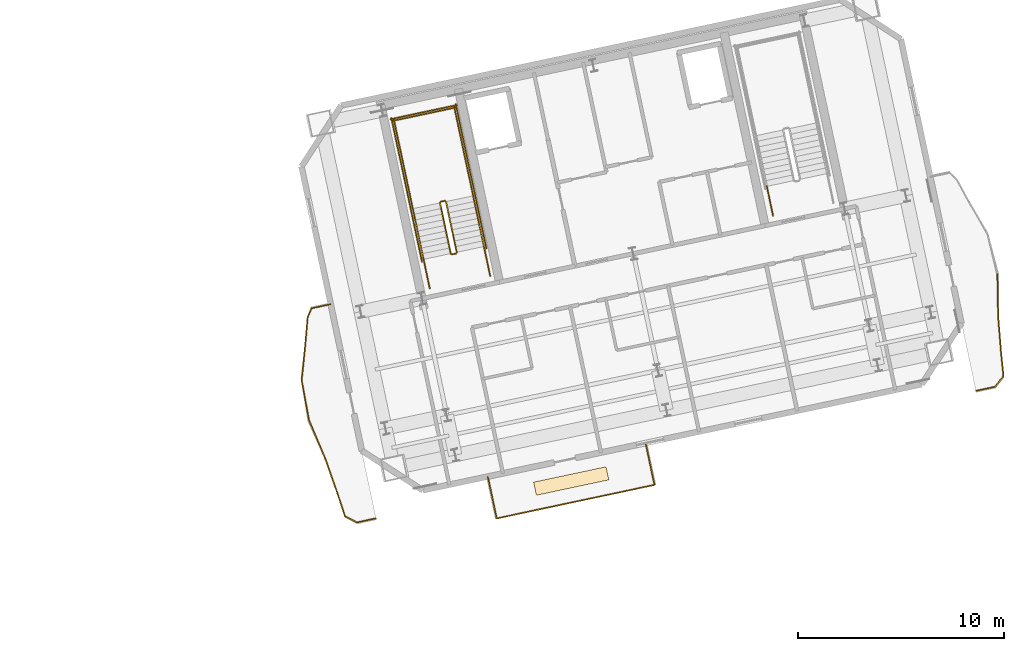
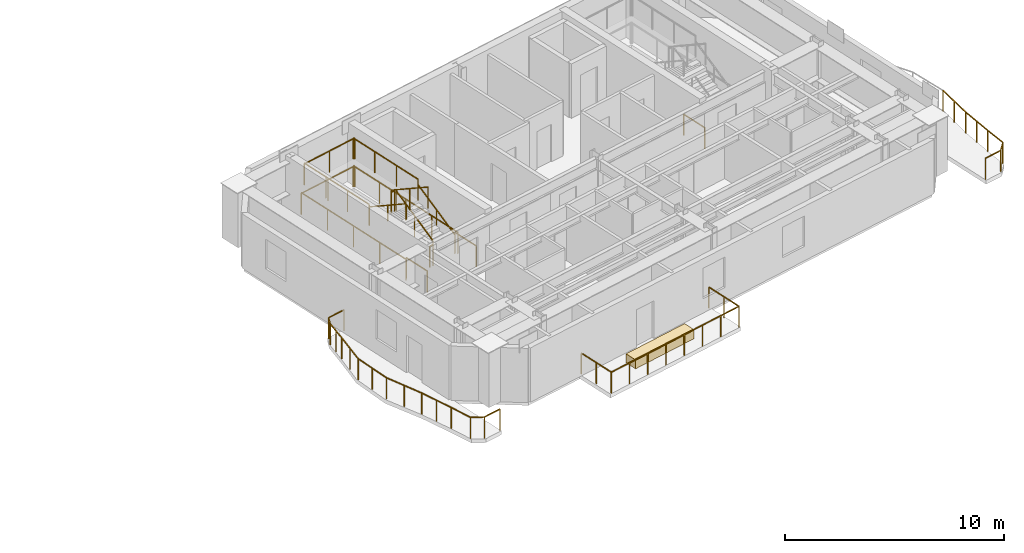
# One storey, part 15 of 16: 33 railings, 1 covering.
"""IFC4 building model written with IfcOpenShell, lengths in metres."""

from ifc_helpers import new_model, si_unit, direction, frame, origin, origin_2d, place, context, subcontext, project, spatial, rectangle, extrude, material, layer, layer_set, type_object, element, save


model = new_model("IFC4")

# Units and contexts
model_context = context("Model", 3, precision=1e-05, world=origin(), true_north=direction((0.0, 1.0)))
body_context = subcontext(model_context, "Body", "Model", "MODEL_VIEW")
ifc_project = project(units=[si_unit("LENGTHUNIT", "METRE"), si_unit("AREAUNIT", "SQUARE_METRE"), si_unit("VOLUMEUNIT", "CUBIC_METRE"), si_unit("PLANEANGLEUNIT", "RADIAN"), si_unit("MASSUNIT", "GRAM", prefix="KILO")], contexts=[model_context])

# Site, building, storey
site_placement = place(None, origin())
site = spatial("IfcSite", under=ifc_project, at=site_placement, CompositionType="ELEMENT")
building_placement = place(site_placement, origin())
building = spatial("IfcBuilding", under=site, at=building_placement, Name="Haevon Station Towers", CompositionType="ELEMENT")
storey_placement = place(building_placement, frame((0.0, 0.0, 215.39990234375)))
storey = spatial("IfcBuildingStorey", under=building, at=storey_placement, Name="L59", CompositionType="ELEMENT", Elevation=215.39990234375)

# Railings
ifc_material_1 = material(Name="Steel S355", Category="steel")
railing_type_1 = type_object("IfcRailingType", Name="GRD-EXT1200", PredefinedType="GUARDRAIL", material=ifc_material_1)
railing_1_placement = place(storey_placement, frame((94.288818359375, 37.16552734375, 0.0)))
element("IfcRailing", 1, at=railing_1_placement, inside=storey, type_object=railing_type_1, Name="L59 Perimeter Guardrail 1", PredefinedType="GUARDRAIL", context=body_context, shape_type="SweptSolid", body=[
    extrude(rectangle(XDim=0.048095703125, YDim=0.048095703125, at=origin_2d()), frame((0.0, 0.0, 1.17578125), z_axis=(-0.977684892297, -0.210076774952, 0.0), x_axis=(0.210076774952, -0.977684892297, 0.0)), (0.0, 0.0, 1.0), 0.943603515625),
    extrude(rectangle(XDim=0.0419921875, YDim=0.0419921875, at=origin_2d()), origin(), (0.0, 0.0, 1.0), 1.15185546875),
    extrude(rectangle(XDim=0.0419921875, YDim=0.0419921875, at=origin_2d()), frame((-0.922607421875, -0.1982421875, 0.0)), (0.0, 0.0, 1.0), 1.15185546875),
])
railing_2_placement = place(storey_placement, frame((93.3662109375, 36.96728515625, 0.0)))
element("IfcRailing", 2, at=railing_2_placement, inside=storey, type_object=railing_type_1, Name="L59 Perimeter Guardrail 2", PredefinedType="GUARDRAIL", context=body_context, shape_type="SweptSolid", body=[
    extrude(rectangle(XDim=0.048095703125, YDim=0.048095703125, at=origin_2d()), frame((0.0, 0.0, 1.17578125), z_axis=(-0.3657443694, -0.930715346522, 0.0), x_axis=(0.930715346522, -0.3657443694, 0.0)), (0.0, 0.0, 1.0), 0.49267578125),
    extrude(rectangle(XDim=0.0419921875, YDim=0.0419921875, at=origin_2d()), origin(), (0.0, 0.0, 1.0), 1.15185546875),
    extrude(rectangle(XDim=0.0419921875, YDim=0.0419921875, at=origin_2d()), frame((-0.18017578125, -0.45849609375, 0.0)), (0.0, 0.0, 1.0), 1.15185546875),
])
railing_3_placement = place(storey_placement, frame((93.18603515625, 36.5087890625, 0.0)))
element("IfcRailing", 3, at=railing_3_placement, inside=storey, type_object=railing_type_1, Name="L59 Perimeter Guardrail 3", PredefinedType="GUARDRAIL", context=body_context, shape_type="SweptSolid", body=[
    extrude(rectangle(XDim=0.048095703125, YDim=0.048095703125, at=origin_2d()), frame((0.0, 0.0, 1.17578125), z_axis=(-0.084053333856, -0.996461257184, 0.0), x_axis=(0.996461257184, -0.084053333856, 0.0)), (0.0, 0.0, 1.0), 1.222900390625),
    extrude(rectangle(XDim=0.0419921875, YDim=0.0419921875, at=origin_2d()), origin(), (0.0, 0.0, 1.0), 1.15185546875),
    extrude(rectangle(XDim=0.0419921875, YDim=0.0419921875, at=origin_2d()), frame((-0.05126953125, -0.609375, 0.0)), (0.0, 0.0, 1.0), 1.15185546875),
    extrude(rectangle(XDim=0.0419921875, YDim=0.0419921875, at=origin_2d()), frame((-0.102783203125, -1.218505859375, 0.0)), (0.0, 0.0, 1.0), 1.15185546875),
])
railing_4_placement = place(storey_placement, frame((93.083251953125, 35.290283203125, 0.0)))
element("IfcRailing", 4, at=railing_4_placement, inside=storey, type_object=railing_type_1, Name="L59 Perimeter Guardrail 4", PredefinedType="GUARDRAIL", context=body_context, shape_type="SweptSolid", body=[
    extrude(rectangle(XDim=0.048095703125, YDim=0.048095703125, at=origin_2d()), frame((0.0, 0.0, 1.17578125), z_axis=(-0.100440099448, -0.994943107129, 0.0), x_axis=(0.994943107129, -0.100440099448, 0.0)), (0.0, 0.0, 1.0), 1.832763671875),
    extrude(rectangle(XDim=0.0419921875, YDim=0.0419921875, at=origin_2d()), origin(), (0.0, 0.0, 1.0), 1.15185546875),
    extrude(rectangle(XDim=0.0419921875, YDim=0.0419921875, at=origin_2d()), frame((-0.092041015625, -0.91162109375, 0.0)), (0.0, 0.0, 1.0), 1.15185546875),
    extrude(rectangle(XDim=0.0419921875, YDim=0.0419921875, at=origin_2d()), frame((-0.18408203125, -1.823486328125, 0.0)), (0.0, 0.0, 1.0), 1.15185546875),
])
railing_5_placement = place(storey_placement, frame((92.899169921875, 33.466796875, 0.0)))
element("IfcRailing", 5, at=railing_5_placement, inside=storey, type_object=railing_type_1, Name="L59 Perimeter Guardrail 5", PredefinedType="GUARDRAIL", context=body_context, shape_type="SweptSolid", body=[
    extrude(rectangle(XDim=0.048095703125, YDim=0.048095703125, at=origin_2d()), frame((0.0, 0.0, 1.17578125), z_axis=(0.182062954149, -0.983286876108, 0.0), x_axis=(0.983286876108, 0.182062954149, 0.0)), (0.0, 0.0, 1.0), 1.994140625),
    extrude(rectangle(XDim=0.0419921875, YDim=0.0419921875, at=origin_2d()), origin(), (0.0, 0.0, 1.0), 1.15185546875),
    extrude(rectangle(XDim=0.0419921875, YDim=0.0419921875, at=origin_2d()), frame((0.181640625, -0.98046875, 0.0)), (0.0, 0.0, 1.0), 1.15185546875),
    extrude(rectangle(XDim=0.0419921875, YDim=0.0419921875, at=origin_2d()), frame((0.363037109375, -1.960693359375, 0.0)), (0.0, 0.0, 1.0), 1.15185546875),
])
railing_6_placement = place(storey_placement, frame((93.26220703125, 31.506103515625, 0.0)))
element("IfcRailing", 6, at=railing_6_placement, inside=storey, type_object=railing_type_1, Name="L59 Perimeter Guardrail 6", PredefinedType="GUARDRAIL", context=body_context, shape_type="SweptSolid", body=[
    extrude(rectangle(XDim=0.048095703125, YDim=0.048095703125, at=origin_2d()), frame((0.0, 0.0, 1.17578125), z_axis=(0.389726477467, -0.920930655783, 0.0), x_axis=(0.920930655783, 0.389726477467, 0.0)), (0.0, 0.0, 1.0), 2.02587890625),
    extrude(rectangle(XDim=0.0419921875, YDim=0.0419921875, at=origin_2d()), origin(), (0.0, 0.0, 1.0), 1.15185546875),
    extrude(rectangle(XDim=0.0419921875, YDim=0.0419921875, at=origin_2d()), frame((0.394775390625, -0.932861328125, 0.0)), (0.0, 0.0, 1.0), 1.15185546875),
    extrude(rectangle(XDim=0.0419921875, YDim=0.0419921875, at=origin_2d()), frame((0.78955078125, -1.86572265625, 0.0)), (0.0, 0.0, 1.0), 1.15185546875),
])
railing_7_placement = place(storey_placement, frame((94.0517578125, 29.640380859375, 0.0)))
element("IfcRailing", 7, at=railing_7_placement, inside=storey, type_object=railing_type_1, Name="L59 Perimeter Guardrail 7", PredefinedType="GUARDRAIL", context=body_context, shape_type="SweptSolid", body=[
    extrude(rectangle(XDim=0.048095703125, YDim=0.048095703125, at=origin_2d()), frame((0.0, 0.0, 1.17578125), z_axis=(0.332125119424, -0.943235339164, 0.0), x_axis=(0.943235339164, 0.332125119424, 0.0)), (0.0, 0.0, 1.0), 1.76416015625),
    extrude(rectangle(XDim=0.0419921875, YDim=0.0419921875, at=origin_2d()), origin(), (0.0, 0.0, 1.0), 1.15185546875),
    extrude(rectangle(XDim=0.0419921875, YDim=0.0419921875, at=origin_2d()), frame((0.29296875, -0.83203125, 0.0)), (0.0, 0.0, 1.0), 1.15185546875),
    extrude(rectangle(XDim=0.0419921875, YDim=0.0419921875, at=origin_2d()), frame((0.5859375, -1.6640625, 0.0)), (0.0, 0.0, 1.0), 1.15185546875),
])
railing_8_placement = place(storey_placement, frame((94.6376953125, 27.976318359375, 0.0)))
element("IfcRailing", 8, at=railing_8_placement, inside=storey, type_object=railing_type_1, Name="L59 Perimeter Guardrail 8", PredefinedType="GUARDRAIL", context=body_context, shape_type="SweptSolid", body=[
    extrude(rectangle(XDim=0.048095703125, YDim=0.048095703125, at=origin_2d()), frame((0.0, 0.0, 1.17578125), z_axis=(0.312554388063, -0.949899865513, 0.0), x_axis=(0.949899865513, 0.312554388063, 0.0)), (0.0, 0.0, 1.0), 1.17724609375),
    extrude(rectangle(XDim=0.0419921875, YDim=0.0419921875, at=origin_2d()), origin(), (0.0, 0.0, 1.0), 1.15185546875),
    extrude(rectangle(XDim=0.0419921875, YDim=0.0419921875, at=origin_2d()), frame((0.367919921875, -1.1181640625, 0.0)), (0.0, 0.0, 1.0), 1.15185546875),
])
railing_9_placement = place(storey_placement, frame((95.005615234375, 26.858154296875, 0.0)))
element("IfcRailing", 9, at=railing_9_placement, inside=storey, type_object=railing_type_1, Name="L59 Perimeter Guardrail 9", PredefinedType="GUARDRAIL", context=body_context, shape_type="SweptSolid", body=[
    extrude(rectangle(XDim=0.048095703125, YDim=0.048095703125, at=origin_2d()), frame((0.0, 0.0, 1.17578125), z_axis=(0.886820538065, -0.46211398298, 0.0), x_axis=(0.46211398298, 0.886820538065, 0.0)), (0.0, 0.0, 1.0), 0.646240234375),
    extrude(rectangle(XDim=0.0419921875, YDim=0.0419921875, at=origin_2d()), origin(), (0.0, 0.0, 1.0), 1.15185546875),
    extrude(rectangle(XDim=0.0419921875, YDim=0.0419921875, at=origin_2d()), frame((0.572998046875, -0.298583984375, 0.0)), (0.0, 0.0, 1.0), 1.15185546875),
])
railing_10_placement = place(storey_placement, frame((95.57861328125, 26.5595703125, 0.0)))
element("IfcRailing", 10, at=railing_10_placement, inside=storey, type_object=railing_type_1, Name="L59 Perimeter Guardrail 10", PredefinedType="GUARDRAIL", context=body_context, shape_type="SweptSolid", body=[
    extrude(rectangle(XDim=0.048095703125, YDim=0.048095703125, at=origin_2d()), frame((0.0, 0.0, 1.17578125), z_axis=(0.978560764673, 0.205958320645, 0.0), x_axis=(-0.205958320645, 0.978560764673, 0.0)), (0.0, 0.0, 1.0), 0.943603515625),
    extrude(rectangle(XDim=0.0419921875, YDim=0.0419921875, at=origin_2d()), origin(), (0.0, 0.0, 1.0), 1.15185546875),
    extrude(rectangle(XDim=0.0419921875, YDim=0.0419921875, at=origin_2d()), frame((0.92333984375, 0.1943359375, 0.0)), (0.0, 0.0, 1.0), 1.15185546875),
])
railing_11_placement = place(storey_placement, frame((125.69677734375, 32.959228515625, 0.0)))
element("IfcRailing", 11, at=railing_11_placement, inside=storey, type_object=railing_type_1, Name="L59 Perimeter Guardrail 1", PredefinedType="GUARDRAIL", context=body_context, shape_type="SweptSolid", body=[
    extrude(rectangle(XDim=0.048095703125, YDim=0.048095703125, at=origin_2d()), frame((0.0, 0.0, 1.17578125), z_axis=(0.977684892297, 0.210076774952, 0.0), x_axis=(-0.210076774952, 0.977684892297, 0.0)), (0.0, 0.0, 1.0), 0.943603515625),
    extrude(rectangle(XDim=0.0419921875, YDim=0.0419921875, at=origin_2d()), origin(), (0.0, 0.0, 1.0), 1.15185546875),
    extrude(rectangle(XDim=0.0419921875, YDim=0.0419921875, at=origin_2d()), frame((0.922607421875, 0.1982421875, 0.0)), (0.0, 0.0, 1.0), 1.15185546875),
])
railing_12_placement = place(storey_placement, frame((126.619384765625, 33.157470703125, 0.0)))
element("IfcRailing", 12, at=railing_12_placement, inside=storey, type_object=railing_type_1, Name="L59 Perimeter Guardrail 2", PredefinedType="GUARDRAIL", context=body_context, shape_type="SweptSolid", body=[
    extrude(rectangle(XDim=0.048095703125, YDim=0.048095703125, at=origin_2d()), frame((0.0, 0.0, 1.17578125), z_axis=(0.622018457764, 0.783002578668, 0.0), x_axis=(-0.783002578668, 0.622018457764, 0.0)), (0.0, 0.0, 1.0), 0.64599609375),
    extrude(rectangle(XDim=0.0419921875, YDim=0.0419921875, at=origin_2d()), origin(), (0.0, 0.0, 1.0), 1.15185546875),
    extrude(rectangle(XDim=0.0419921875, YDim=0.0419921875, at=origin_2d()), frame((0.40185546875, 0.505859375, 0.0)), (0.0, 0.0, 1.0), 1.15185546875),
])
railing_13_placement = place(storey_placement, frame((127.021240234375, 33.663330078125, 0.0)))
element("IfcRailing", 13, at=railing_13_placement, inside=storey, type_object=railing_type_1, Name="L59 Perimeter Guardrail 3", PredefinedType="GUARDRAIL", context=body_context, shape_type="SweptSolid", body=[
    extrude(rectangle(XDim=0.048095703125, YDim=0.048095703125, at=origin_2d()), frame((0.0, 0.0, 1.17578125), z_axis=(-0.100797330026, 0.994906979702, 0.0), x_axis=(-0.994906979702, -0.100797330026, 0.0)), (0.0, 0.0, 1.0), 1.17724609375),
    extrude(rectangle(XDim=0.0419921875, YDim=0.0419921875, at=origin_2d()), origin(), (0.0, 0.0, 1.0), 1.15185546875),
    extrude(rectangle(XDim=0.0419921875, YDim=0.0419921875, at=origin_2d()), frame((-0.11865234375, 1.171142578125, 0.0)), (0.0, 0.0, 1.0), 1.15185546875),
])
railing_14_placement = place(storey_placement, frame((126.902587890625, 34.83447265625, 0.0)))
element("IfcRailing", 14, at=railing_14_placement, inside=storey, type_object=railing_type_1, Name="L59 Perimeter Guardrail 4", PredefinedType="GUARDRAIL", context=body_context, shape_type="SweptSolid", body=[
    extrude(rectangle(XDim=0.048095703125, YDim=0.048095703125, at=origin_2d()), frame((0.0, 0.0, 1.17578125), z_axis=(-0.080262223302, 0.996773783519, 0.0), x_axis=(-0.996773783519, -0.080262223302, 0.0)), (0.0, 0.0, 1.0), 1.76416015625),
    extrude(rectangle(XDim=0.0419921875, YDim=0.0419921875, at=origin_2d()), origin(), (0.0, 0.0, 1.0), 1.15185546875),
    extrude(rectangle(XDim=0.0419921875, YDim=0.0419921875, at=origin_2d()), frame((-0.07080078125, 0.87939453125, 0.0)), (0.0, 0.0, 1.0), 1.15185546875),
    extrude(rectangle(XDim=0.0419921875, YDim=0.0419921875, at=origin_2d()), frame((-0.1416015625, 1.758544921875, 0.0)), (0.0, 0.0, 1.0), 1.15185546875),
])
railing_15_placement = place(storey_placement, frame((126.760986328125, 36.593017578125, 0.0)))
element("IfcRailing", 15, at=railing_15_placement, inside=storey, type_object=railing_type_1, Name="L59 Perimeter Guardrail 5", PredefinedType="GUARDRAIL", context=body_context, shape_type="SweptSolid", body=[
    extrude(rectangle(XDim=0.048095703125, YDim=0.048095703125, at=origin_2d()), frame((0.0, 0.0, 1.17578125), z_axis=(-0.018557729268, 0.999827790514, 0.0), x_axis=(-0.999827790514, -0.018557729268, 0.0)), (0.0, 0.0, 1.0), 2.02587890625),
    extrude(rectangle(XDim=0.0419921875, YDim=0.0419921875, at=origin_2d()), origin(), (0.0, 0.0, 1.0), 1.15185546875),
    extrude(rectangle(XDim=0.0419921875, YDim=0.0419921875, at=origin_2d()), frame((-0.018798828125, 1.0126953125, 0.0)), (0.0, 0.0, 1.0), 1.15185546875),
    extrude(rectangle(XDim=0.0419921875, YDim=0.0419921875, at=origin_2d()), frame((-0.03759765625, 2.025634765625, 0.0)), (0.0, 0.0, 1.0), 1.15185546875),
])
railing_16_placement = place(storey_placement, frame((102.38134765625, 26.753662109375, 0.0)))
element("IfcRailing", 16, at=railing_16_placement, inside=storey, type_object=railing_type_1, Name="L59 Perimeter Guardrail 1", PredefinedType="GUARDRAIL", context=body_context, shape_type="SweptSolid", body=[
    extrude(rectangle(XDim=0.048095703125, YDim=0.048095703125, at=origin_2d()), frame((0.0, 0.0, 1.17578125), z_axis=(0.978148093399, 0.207909372996, 0.0), x_axis=(-0.207909372996, 0.978148093399, 0.0)), (0.0, 0.0, 1.0), 7.84521484375),
    extrude(rectangle(XDim=0.0419921875, YDim=0.0419921875, at=origin_2d()), origin(), (0.0, 0.0, 1.0), 1.15185546875),
    extrude(rectangle(XDim=0.0419921875, YDim=0.0419921875, at=origin_2d()), frame((1.09619140625, 0.23291015625, 0.0)), (0.0, 0.0, 1.0), 1.15185546875),
    extrude(rectangle(XDim=0.0419921875, YDim=0.0419921875, at=origin_2d()), frame((2.192626953125, 0.466064453125, 0.0)), (0.0, 0.0, 1.0), 1.15185546875),
    extrude(rectangle(XDim=0.0419921875, YDim=0.0419921875, at=origin_2d()), frame((3.288818359375, 0.698974609375, 0.0)), (0.0, 0.0, 1.0), 1.15185546875),
    extrude(rectangle(XDim=0.0419921875, YDim=0.0419921875, at=origin_2d()), frame((4.385009765625, 0.93212890625, 0.0)), (0.0, 0.0, 1.0), 1.15185546875),
    extrude(rectangle(XDim=0.0419921875, YDim=0.0419921875, at=origin_2d()), frame((5.481201171875, 1.1650390625, 0.0)), (0.0, 0.0, 1.0), 1.15185546875),
    extrude(rectangle(XDim=0.0419921875, YDim=0.0419921875, at=origin_2d()), frame((6.57763671875, 1.398193359375, 0.0)), (0.0, 0.0, 1.0), 1.15185546875),
    extrude(rectangle(XDim=0.0419921875, YDim=0.0419921875, at=origin_2d()), frame((7.673828125, 1.631103515625, 0.0)), (0.0, 0.0, 1.0), 1.15185546875),
])
railing_17_placement = place(storey_placement, frame((110.05517578125, 28.384765625, 0.0)))
element("IfcRailing", 17, at=railing_17_placement, inside=storey, type_object=railing_type_1, Name="L59 Perimeter Guardrail 2", PredefinedType="GUARDRAIL", context=body_context, shape_type="SweptSolid", body=[
    extrude(rectangle(XDim=0.048095703125, YDim=0.048095703125, at=origin_2d()), frame((0.0, 0.0, 1.17578125), z_axis=(-0.207962507169, 0.978136798005, 0.0), x_axis=(-0.978136798005, -0.207962507169, 0.0)), (0.0, 0.0, 1.0), 2.054443359375),
    extrude(rectangle(XDim=0.0419921875, YDim=0.0419921875, at=origin_2d()), origin(), (0.0, 0.0, 1.0), 1.15185546875),
    extrude(rectangle(XDim=0.0419921875, YDim=0.0419921875, at=origin_2d()), frame((-0.213623046875, 1.0048828125, 0.0)), (0.0, 0.0, 1.0), 1.15185546875),
    extrude(rectangle(XDim=0.0419921875, YDim=0.0419921875, at=origin_2d()), frame((-0.42724609375, 2.009521484375, 0.0)), (0.0, 0.0, 1.0), 1.15185546875),
])
railing_18_placement = place(storey_placement, frame((101.9541015625, 28.76318359375, 0.0)))
element("IfcRailing", 18, at=railing_18_placement, inside=storey, type_object=railing_type_1, Name="L59 Perimeter Guardrail 3", PredefinedType="GUARDRAIL", context=body_context, shape_type="SweptSolid", body=[
    extrude(rectangle(XDim=0.048095703125, YDim=0.048095703125, at=origin_2d()), frame((0.0, 0.0, 1.17578125), z_axis=(0.207962507169, -0.978136798005, 0.0), x_axis=(0.978136798005, 0.207962507169, 0.0)), (0.0, 0.0, 1.0), 2.054443359375),
    extrude(rectangle(XDim=0.0419921875, YDim=0.0419921875, at=origin_2d()), origin(), (0.0, 0.0, 1.0), 1.15185546875),
    extrude(rectangle(XDim=0.0419921875, YDim=0.0419921875, at=origin_2d()), frame((0.213623046875, -1.0048828125, 0.0)), (0.0, 0.0, 1.0), 1.15185546875),
    extrude(rectangle(XDim=0.0419921875, YDim=0.0419921875, at=origin_2d()), frame((0.42724609375, -2.009521484375, 0.0)), (0.0, 0.0, 1.0), 1.15185546875),
])
railing_type_2 = type_object("IfcRailingType", Name="GRD-STR1200", PredefinedType="GUARDRAIL", material=ifc_material_1)
railing_19_placement = place(storey_placement, frame((100.44140625, 39.69287109375, 0.1650390625)))
element("IfcRailing", 19, at=railing_19_placement, inside=storey, type_object=railing_type_2, Name="L59 ST3 Stair Guard 1", PredefinedType="GUARDRAIL", context=body_context, shape_type="SweptSolid", body=[
    extrude(rectangle(XDim=0.048095703125, YDim=0.048095703125, at=origin_2d()), frame((0.0, 0.0, 1.17578125), z_axis=(-0.179121265225, 0.842687928106, 0.507732831485), x_axis=(-0.978147030254, -0.207914374695, 0.0)), (0.0, 0.0, 1.0), 2.925048828125),
    extrude(rectangle(XDim=0.0419921875, YDim=0.0419921875, at=origin_2d()), origin(), (0.0, 0.0, 1.0), 1.15185546875),
    extrude(rectangle(XDim=0.0419921875, YDim=0.0419921875, at=origin_2d()), frame((-0.261962890625, 1.232421875, 0.74267578125)), (0.0, 0.0, 1.0), 1.15185546875),
    extrude(rectangle(XDim=0.0419921875, YDim=0.0419921875, at=origin_2d()), frame((-0.52392578125, 2.46484375, 1.485107421875)), (0.0, 0.0, 1.0), 1.15185546875),
])
railing_20_placement = place(storey_placement, frame((99.858154296875, 42.1962890625, 1.650146484375)))
element("IfcRailing", 20, at=railing_20_placement, inside=storey, type_object=railing_type_2, Name="L59 ST3 Stair Guard 2", PredefinedType="GUARDRAIL", context=body_context, shape_type="SweptSolid", body=[
    extrude(rectangle(XDim=0.048095703125, YDim=0.048095703125, at=origin_2d()), frame((0.0, 0.0, 1.17578125), z_axis=(-0.977962931203, -0.208778603291, 0.0), x_axis=(0.208778603291, -0.977962931203, 0.0)), (0.0, 0.0, 1.0), 0.199951171875),
    extrude(rectangle(XDim=0.0419921875, YDim=0.0419921875, at=origin_2d()), origin(), (0.0, 0.0, 1.0), 1.15185546875),
    extrude(rectangle(XDim=0.0419921875, YDim=0.0419921875, at=origin_2d()), frame((-0.195556640625, -0.041748046875, 0.0)), (0.0, 0.0, 1.0), 1.15185546875),
])
railing_21_placement = place(storey_placement, frame((101.238037109375, 42.4384765625, 1.650146484375)))
element("IfcRailing", 21, at=railing_21_placement, inside=storey, type_object=railing_type_2, Name="L59 ST3 Stair Guard 3", PredefinedType="GUARDRAIL", context=body_context, shape_type="SweptSolid", body=[
    extrude(rectangle(XDim=0.048095703125, YDim=0.048095703125, at=origin_2d()), frame((0.0, 0.0, 1.17578125), z_axis=(-0.20794048909, 0.978141479029, 0.0), x_axis=(-0.978141479029, -0.20794048909, 0.0)), (0.0, 0.0, 1.0), 4.429931640625),
    extrude(rectangle(XDim=0.0419921875, YDim=0.0419921875, at=origin_2d()), origin(), (0.0, 0.0, 1.0), 1.15185546875),
    extrude(rectangle(XDim=0.0419921875, YDim=0.0419921875, at=origin_2d()), frame((-0.30712890625, 1.4443359375, 0.0)), (0.0, 0.0, 1.0), 1.15185546875),
    extrude(rectangle(XDim=0.0419921875, YDim=0.0419921875, at=origin_2d()), frame((-0.614013671875, 2.888671875, 0.0)), (0.0, 0.0, 1.0), 1.15185546875),
    extrude(rectangle(XDim=0.0419921875, YDim=0.0419921875, at=origin_2d()), frame((-0.921142578125, 4.3330078125, 0.0)), (0.0, 0.0, 1.0), 1.15185546875),
])
railing_22_placement = place(storey_placement, frame((98.303466796875, 41.814697265625, 1.650146484375)))
element("IfcRailing", 22, at=railing_22_placement, inside=storey, type_object=railing_type_2, Name="L59 ST3 Stair Guard 4", PredefinedType="GUARDRAIL", context=body_context, shape_type="SweptSolid", body=[
    extrude(rectangle(XDim=0.048095703125, YDim=0.048095703125, at=origin_2d()), frame((0.0, 0.0, 1.17578125), z_axis=(-0.207876551949, 0.978155069071, 0.0), x_axis=(-0.978155069071, -0.207876551949, 0.0)), (0.0, 0.0, 1.0), 4.429931640625),
    extrude(rectangle(XDim=0.0419921875, YDim=0.0419921875, at=origin_2d()), origin(), (0.0, 0.0, 1.0), 1.15185546875),
    extrude(rectangle(XDim=0.0419921875, YDim=0.0419921875, at=origin_2d()), frame((-0.306884765625, 1.4443359375, 0.0)), (0.0, 0.0, 1.0), 1.15185546875),
    extrude(rectangle(XDim=0.0419921875, YDim=0.0419921875, at=origin_2d()), frame((-0.614013671875, 2.888916015625, 0.0)), (0.0, 0.0, 1.0), 1.15185546875),
    extrude(rectangle(XDim=0.0419921875, YDim=0.0419921875, at=origin_2d()), frame((-0.9208984375, 4.333251953125, 0.0)), (0.0, 0.0, 1.0), 1.15185546875),
])
railing_23_placement = place(storey_placement, frame((100.376220703125, 46.733154296875, 1.650146484375)))
element("IfcRailing", 23, at=railing_23_placement, inside=storey, type_object=railing_type_2, Name="L59 ST3 Stair Guard 5", PredefinedType="GUARDRAIL", context=body_context, shape_type="SweptSolid", body=[
    extrude(rectangle(XDim=0.048095703125, YDim=0.048095703125, at=origin_2d()), frame((0.0, 0.0, 1.17578125), z_axis=(-0.978146839882, -0.207915270313, 0.0), x_axis=(0.207915270313, -0.978146839882, 0.0)), (0.0, 0.0, 1.0), 3.099853515625),
    extrude(rectangle(XDim=0.0419921875, YDim=0.0419921875, at=origin_2d()), origin(), (0.0, 0.0, 1.0), 1.15185546875),
    extrude(rectangle(XDim=0.0419921875, YDim=0.0419921875, at=origin_2d()), frame((-1.51611328125, -0.322265625, 0.0)), (0.0, 0.0, 1.0), 1.15185546875),
    extrude(rectangle(XDim=0.0419921875, YDim=0.0419921875, at=origin_2d()), frame((-3.0322265625, -0.64453125, 0.0)), (0.0, 0.0, 1.0), 1.15185546875),
])
railing_24_placement = place(storey_placement, frame((99.6240234375, 42.09521484375, 1.815185546875)))
element("IfcRailing", 24, at=railing_24_placement, inside=storey, type_object=railing_type_2, Name="L59 ST3 Stair Guard 6", PredefinedType="GUARDRAIL", context=body_context, shape_type="SweptSolid", body=[
    extrude(rectangle(XDim=0.048095703125, YDim=0.048095703125, at=origin_2d()), frame((0.0, 0.0, 1.17578125), z_axis=(0.179128856099, -0.842723639875, 0.507670877349), x_axis=(0.978147030254, 0.207914374695, 0.0)), (0.0, 0.0, 1.0), 2.9248046875),
    extrude(rectangle(XDim=0.0419921875, YDim=0.0419921875, at=origin_2d()), origin(), (0.0, 0.0, 1.0), 1.15185546875),
    extrude(rectangle(XDim=0.0419921875, YDim=0.0419921875, at=origin_2d()), frame((0.261962890625, -1.232421875, 0.742431640625)), (0.0, 0.0, 1.0), 1.15185546875),
    extrude(rectangle(XDim=0.0419921875, YDim=0.0419921875, at=origin_2d()), frame((0.52392578125, -2.46484375, 1.48486328125)), (0.0, 0.0, 1.0), 1.15185546875),
])
railing_25_placement = place(storey_placement, frame((100.40283203125, 39.633544921875, 0.0)))
element("IfcRailing", 25, at=railing_25_placement, inside=storey, type_object=railing_type_2, Name="L59 ST3 Stair Guard 7", PredefinedType="GUARDRAIL", context=body_context, shape_type="SweptSolid", body=[
    extrude(rectangle(XDim=0.048095703125, YDim=0.048095703125, at=origin_2d()), frame((0.0, 0.0, 1.17578125), z_axis=(-0.977962931203, -0.208778603291, 0.0), x_axis=(0.208778603291, -0.977962931203, 0.0)), (0.0, 0.0, 1.0), 0.199951171875),
    extrude(rectangle(XDim=0.0419921875, YDim=0.0419921875, at=origin_2d()), origin(), (0.0, 0.0, 1.0), 1.15185546875),
    extrude(rectangle(XDim=0.0419921875, YDim=0.0419921875, at=origin_2d()), frame((-0.195556640625, -0.041748046875, 0.0)), (0.0, 0.0, 1.0), 1.15185546875),
])
for number, where, name in (
    (26, (102.0634765625, 38.55517578125, 0.0), "L59 ST3 Stair Guard 8"),
    (27, (99.12890625, 37.931396484375, 0.0), "L59 ST3 Stair Guard 9"),
):
    element("IfcRailing", number, at=place(storey_placement, frame(where)), inside=storey, type_object=railing_type_2, Name=name, PredefinedType="GUARDRAIL", context=body_context, shape_type="SweptSolid", body=[
        extrude(rectangle(XDim=0.048095703125, YDim=0.048095703125, at=origin_2d()), frame((0.0, 0.0, 1.17578125), z_axis=(-0.207953405961, 0.978138732977, 0.0), x_axis=(-0.978138732977, -0.207953405961, 0.0)), (0.0, 0.0, 1.0), 1.449951171875),
        extrude(rectangle(XDim=0.0419921875, YDim=0.0419921875, at=origin_2d()), origin(), (0.0, 0.0, 1.0), 1.15185546875),
        extrude(rectangle(XDim=0.0419921875, YDim=0.0419921875, at=origin_2d()), frame((-0.301513671875, 1.418212890625, 0.0)), (0.0, 0.0, 1.0), 1.15185546875),
    ])
railing_26_placement = place(storey_placement, frame((101.88037109375, 39.896484375, 0.0)))
element("IfcRailing", 28, at=railing_26_placement, inside=storey, type_object=railing_type_2, Name="L59 ST3 Stair Guard 10", PredefinedType="GUARDRAIL", context=body_context, shape_type="SweptSolid", body=[
    extrude(rectangle(XDim=0.048095703125, YDim=0.048095703125, at=origin_2d()), frame((0.0, 0.0, 1.17578125), z_axis=(-0.207882442208, 0.978153817261, 0.0), x_axis=(-0.978153817261, -0.207882442208, 0.0)), (0.0, 0.0, 1.0), 7.14990234375),
    extrude(rectangle(XDim=0.0419921875, YDim=0.0419921875, at=origin_2d()), origin(), (0.0, 0.0, 1.0), 1.15185546875),
    extrude(rectangle(XDim=0.0419921875, YDim=0.0419921875, at=origin_2d()), frame((-0.37158203125, 1.74853515625, 0.0)), (0.0, 0.0, 1.0), 1.15185546875),
    extrude(rectangle(XDim=0.0419921875, YDim=0.0419921875, at=origin_2d()), frame((-0.7431640625, 3.496826171875, 0.0)), (0.0, 0.0, 1.0), 1.15185546875),
    extrude(rectangle(XDim=0.0419921875, YDim=0.0419921875, at=origin_2d()), frame((-1.11474609375, 5.2451171875, 0.0)), (0.0, 0.0, 1.0), 1.15185546875),
    extrude(rectangle(XDim=0.0419921875, YDim=0.0419921875, at=origin_2d()), frame((-1.486328125, 6.99365234375, 0.0)), (0.0, 0.0, 1.0), 1.15185546875),
])
railing_27_placement = place(storey_placement, frame((98.75048828125, 39.231201171875, 0.0)))
element("IfcRailing", 29, at=railing_27_placement, inside=storey, type_object=railing_type_2, Name="L59 ST3 Stair Guard 11", PredefinedType="GUARDRAIL", context=body_context, shape_type="SweptSolid", body=[
    extrude(rectangle(XDim=0.048095703125, YDim=0.048095703125, at=origin_2d()), frame((0.0, 0.0, 1.17578125), z_axis=(-0.207915112487, 0.978146873429, 0.0), x_axis=(-0.978146873429, -0.207915112487, 0.0)), (0.0, 0.0, 1.0), 7.14990234375),
    extrude(rectangle(XDim=0.0419921875, YDim=0.0419921875, at=origin_2d()), origin(), (0.0, 0.0, 1.0), 1.15185546875),
    extrude(rectangle(XDim=0.0419921875, YDim=0.0419921875, at=origin_2d()), frame((-0.37158203125, 1.74853515625, 0.0)), (0.0, 0.0, 1.0), 1.15185546875),
    extrude(rectangle(XDim=0.0419921875, YDim=0.0419921875, at=origin_2d()), frame((-0.7431640625, 3.496826171875, 0.0)), (0.0, 0.0, 1.0), 1.15185546875),
    extrude(rectangle(XDim=0.0419921875, YDim=0.0419921875, at=origin_2d()), frame((-1.114990234375, 5.2451171875, 0.0)), (0.0, 0.0, 1.0), 1.15185546875),
    extrude(rectangle(XDim=0.0419921875, YDim=0.0419921875, at=origin_2d()), frame((-1.486572265625, 6.99365234375, 0.0)), (0.0, 0.0, 1.0), 1.15185546875),
])
railing_28_placement = place(storey_placement, frame((100.453125, 46.8515625, 0.0)))
element("IfcRailing", 30, at=railing_28_placement, inside=storey, type_object=railing_type_2, Name="L59 ST3 Stair Guard 12", PredefinedType="GUARDRAIL", context=body_context, shape_type="SweptSolid", body=[
    extrude(rectangle(XDim=0.048095703125, YDim=0.048095703125, at=origin_2d()), frame((0.0, 0.0, 1.17578125), z_axis=(-0.978150764849, -0.207896804268, 0.0), x_axis=(0.207896804268, -0.978150764849, 0.0)), (0.0, 0.0, 1.0), 3.2998046875),
    extrude(rectangle(XDim=0.0419921875, YDim=0.0419921875, at=origin_2d()), origin(), (0.0, 0.0, 1.0), 1.15185546875),
    extrude(rectangle(XDim=0.0419921875, YDim=0.0419921875, at=origin_2d()), frame((-1.61376953125, -0.343017578125, 0.0)), (0.0, 0.0, 1.0), 1.15185546875),
    extrude(rectangle(XDim=0.0419921875, YDim=0.0419921875, at=origin_2d()), frame((-3.227783203125, -0.68603515625, 0.0)), (0.0, 0.0, 1.0), 1.15185546875),
])
railing_29_placement = place(storey_placement, frame((115.816162109375, 41.478271484375, 0.0)))
element("IfcRailing", 31, at=railing_29_placement, inside=storey, type_object=railing_type_2, Name="L59 ST4 Stair Guard 9", PredefinedType="GUARDRAIL", context=body_context, shape_type="SweptSolid", body=[
    extrude(rectangle(XDim=0.048095703125, YDim=0.048095703125, at=origin_2d()), frame((0.0, 0.0, 1.17578125), z_axis=(-0.207919161079, 0.978146012851, 0.0), x_axis=(-0.978146012851, -0.207919161079, 0.0)), (0.0, 0.0, 1.0), 1.4501953125),
    extrude(rectangle(XDim=0.0419921875, YDim=0.0419921875, at=origin_2d()), origin(), (0.0, 0.0, 1.0), 1.15185546875),
    extrude(rectangle(XDim=0.0419921875, YDim=0.0419921875, at=origin_2d()), frame((-0.301513671875, 1.41845703125, 0.0)), (0.0, 0.0, 1.0), 1.15185546875),
])
railing_type_3 = type_object("IfcRailingType", Name="HND-STR900", PredefinedType="HANDRAIL", material=ifc_material_1)
railing_30_placement = place(storey_placement, frame((101.761962890625, 39.973388671875, 0.1650390625)))
element("IfcRailing", 32, at=railing_30_placement, inside=storey, type_object=railing_type_3, Name="L59 ST3 Stair Handrail 1", PredefinedType="HANDRAIL", context=body_context, shape_type="SweptSolid", body=[
    extrude(rectangle(XDim=0.048095703125, YDim=0.048095703125, at=origin_2d()), frame((0.0, 0.0, 0.8759765625), z_axis=(-0.179108667068, 0.842712120868, 0.50769712105), x_axis=(-0.978151217824, -0.207894673017, 0.0)), (0.0, 0.0, 1.0), 2.92529296875),
    extrude(rectangle(XDim=0.0419921875, YDim=0.0419921875, at=origin_2d()), origin(), (0.0, 0.0, 1.0), 0.851806640625),
    extrude(rectangle(XDim=0.0419921875, YDim=0.0419921875, at=origin_2d()), frame((-0.261962890625, 1.232421875, 0.74267578125)), (0.0, 0.0, 1.0), 0.851806640625),
    extrude(rectangle(XDim=0.0419921875, YDim=0.0419921875, at=origin_2d()), frame((-0.52392578125, 2.465087890625, 1.485107421875)), (0.0, 0.0, 1.0), 0.851806640625),
])
railing_31_placement = place(storey_placement, frame((98.303466796875, 41.814697265625, 1.815185546875)))
element("IfcRailing", 33, at=railing_31_placement, inside=storey, type_object=railing_type_3, Name="L59 ST3 Stair Handrail 2", PredefinedType="HANDRAIL", context=body_context, shape_type="SweptSolid", body=[
    extrude(rectangle(XDim=0.048095703125, YDim=0.048095703125, at=origin_2d()), frame((0.0, 0.0, 0.8759765625), z_axis=(0.179116256339, -0.842747828638, 0.507635168246), x_axis=(0.978151217824, 0.207894673017, 0.0)), (0.0, 0.0, 1.0), 2.925048828125),
    extrude(rectangle(XDim=0.0419921875, YDim=0.0419921875, at=origin_2d()), origin(), (0.0, 0.0, 1.0), 0.851806640625),
    extrude(rectangle(XDim=0.0419921875, YDim=0.0419921875, at=origin_2d()), frame((0.261962890625, -1.232421875, 0.742431640625)), (0.0, 0.0, 1.0), 0.851806640625),
    extrude(rectangle(XDim=0.0419921875, YDim=0.0419921875, at=origin_2d()), frame((0.52392578125, -2.465087890625, 1.48486328125)), (0.0, 0.0, 1.0), 0.851806640625),
])

# Covering
ifc_material_2 = material(Name="Architectural planter GRC", Category="concrete")
ifc_layer = layer(ifc_material_2, 0.550048828125)
ifc_layer_set = layer_set([ifc_layer], Name="Architectural planter GRC")
covering_type = type_object("IfcCoveringType", Name="PLN-GRC550", PredefinedType="MOLDING", material=ifc_layer_set)
covering_placement = place(storey_placement, frame((106.004638671875, 28.573974609375, 0.0), z_axis=(0.0, 0.0, 1.0), x_axis=(0.978147600734, 0.207911690818, 0.0)))
element("IfcCovering", 34, at=covering_placement, inside=storey, type_object=covering_type, Name="Tower 2 L59 Facade Trough PLANTER", PredefinedType="MOLDING", context=body_context, shape_type="SweptSolid", body=[
    extrude(rectangle(XDim=3.60009765625, YDim=0.64990234375, at=origin_2d()), origin(), (0.0, 0.0, 1.0), 0.5),
])

save(model, "model.ifc")
